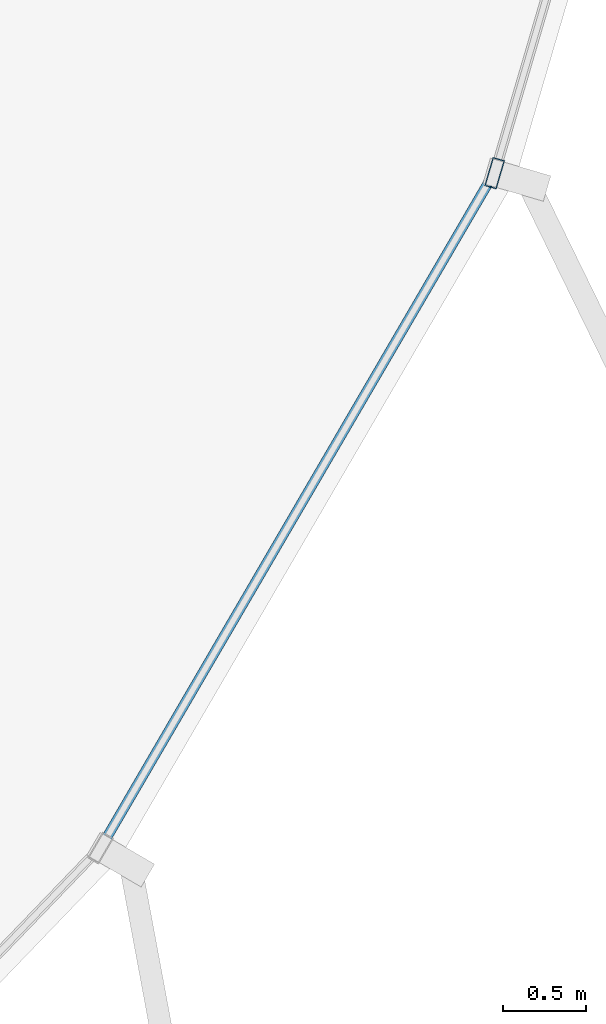
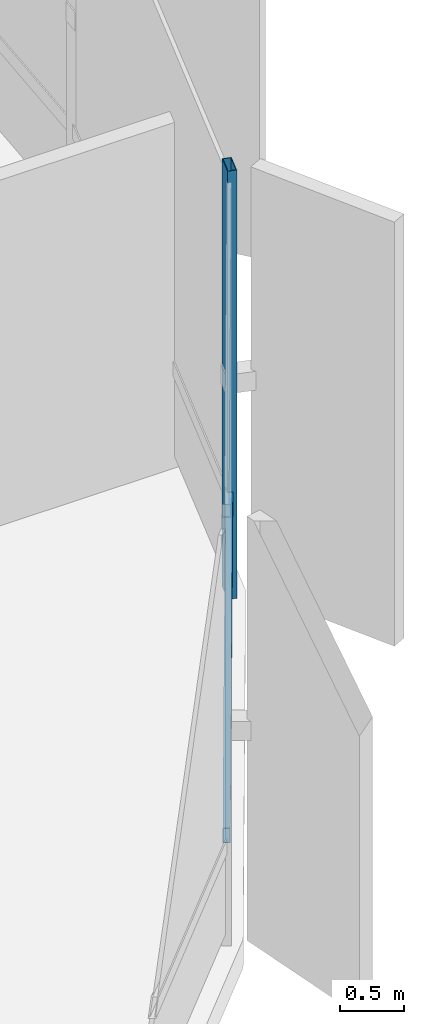
# One storey, part 17 of 34: 2 members, 1 element without a shape of its own.
"""IFC4 building model written with IfcOpenShell, lengths in metres."""

from ifc_helpers import new_model, si_unit, direction, frame, origin, origin_2d, place, context, subcontext, project, spatial, hollow_rectangle, extrude, source, transform, mapped, material, layer, layer_set, material_profile, profile_set, type_object, element, aggregate, save


model = new_model("IFC4")

# Units and contexts
model_context = context("Model", 3, precision=1e-05, world=origin(), true_north=direction((0.0, 1.0)))
body_context = subcontext(model_context, "Body", "Model", "MODEL_VIEW")
ifc_project = project(units=[si_unit("LENGTHUNIT", "METRE"), si_unit("AREAUNIT", "SQUARE_METRE"), si_unit("VOLUMEUNIT", "CUBIC_METRE"), si_unit("PLANEANGLEUNIT", "RADIAN"), si_unit("MASSUNIT", "GRAM", prefix="KILO"), si_unit("THERMODYNAMICTEMPERATUREUNIT", "KELVIN")], contexts=[model_context])

# Site, building, storey
site_placement = place(None, origin())
site = spatial("IfcSite", under=ifc_project, at=site_placement, CompositionType="ELEMENT")
building_placement = place(site_placement, origin())
building = spatial("IfcBuilding", under=site, at=building_placement, Name="Kethvar Cultural Tower", CompositionType="ELEMENT")
storey_placement = place(building_placement, frame((0.0, 0.0, 19.60009765625)))
storey = spatial("IfcBuildingStorey", under=building, at=storey_placement, Name="L04", CompositionType="ELEMENT", Elevation=19.60009765625)

# Curtain wall, members
ifc_material = material(Name="Aluminium 6063-T6", Category="aluminium")
ifc_layer = layer(ifc_material, 0.179931640625, Name="Aluminium 6063-T6", Category="aluminium")
ifc_layer_set = layer_set([ifc_layer], Name="Aluminium 6063-T6 (180 mm)")
curtain_wall_type = type_object("IfcCurtainWallType", Name="CW-SYS-01-POD", PredefinedType="NOTDEFINED", material=ifc_layer_set)
curtain_wall_placement = place(storey_placement, origin())
curtain_wall = element("IfcCurtainWall", 1, at=curtain_wall_placement, inside=storey, type_object=curtain_wall_type, Name="L04 Curtain Wall Run 06", PredefinedType="NOTDEFINED")
ifc_material_profile_1 = material_profile(ifc_material, hollow_rectangle(XDim=0.06005859375, YDim=0.139892578125, WallThickness=0.0048828125, at=origin_2d()), Name="Aluminium 6063-T6 — RHS140x60x5")
ifc_profile_set_1 = profile_set([ifc_material_profile_1], Name="Aluminium 6063-T6 — RHS140x60x5")
member_type_1 = type_object("IfcMemberType", Name="CW-SYS-01-POD-TRN", PredefinedType="USERDEFINED", material=ifc_profile_set_1)
shared_shape_1 = source(origin(), body_context, "Body", "SweptSolid", [
    extrude(hollow_rectangle(XDim=0.06005859375, YDim=0.139892578125, WallThickness=0.0048828125, at=origin_2d()), origin(), (0.0, 0.0, 1.0), 4.639892578125),
])
member_1_placement = place(storey_placement, frame((78.79931640625, 11.71826171875, 0.949951171875), z_axis=(0.503504560489, 0.863992568004, 0.0), x_axis=(-0.863992568004, 0.503504560489, 0.0)))
member_1 = element("IfcMember", 2, at=member_1_placement, type_object=member_type_1, Name="CW-L04-R06 Transom 2", ObjectType="TRANSOM", PredefinedType="USERDEFINED", context=body_context, shape_type="MappedRepresentation", body=[
    mapped(shared_shape_1, transform((0.0, 0.0, 0.0), scale=1.0)),
])
ifc_material_profile_2 = material_profile(ifc_material, hollow_rectangle(XDim=0.074951171875, YDim=0.179931640625, WallThickness=0.006103515625, at=origin_2d()), Name="Aluminium 6063-T6 — RHS180x75x6")
ifc_profile_set_2 = profile_set([ifc_material_profile_2], Name="Aluminium 6063-T6 — RHS180x75x6")
member_type_2 = type_object("IfcMemberType", Name="CW-SYS-01-POD-MUL", PredefinedType="MULLION", material=ifc_profile_set_2)
shared_shape_2 = source(origin(), body_context, "Body", "SweptSolid", [
    extrude(hollow_rectangle(XDim=0.074951171875, YDim=0.179931640625, WallThickness=0.006103515625, at=origin_2d()), origin(), (0.0, 0.0, 1.0), 4.079833984375),
])
member_2_placement = place(storey_placement, frame((81.150390625, 15.744873046875, 0.0), z_axis=(0.0, 0.0, 1.0), x_axis=(-0.959496102658, 0.28172190008, 0.0)))
member_2 = element("IfcMember", 3, at=member_2_placement, type_object=member_type_2, Name="CW-L04-R06 Mullion 3", PredefinedType="MULLION", context=body_context, shape_type="MappedRepresentation", body=[
    mapped(shared_shape_2, transform((0.0, 0.0, 0.0), scale=1.0)),
])
aggregate(curtain_wall, [member_2, member_1])

save(model, "model.ifc")
